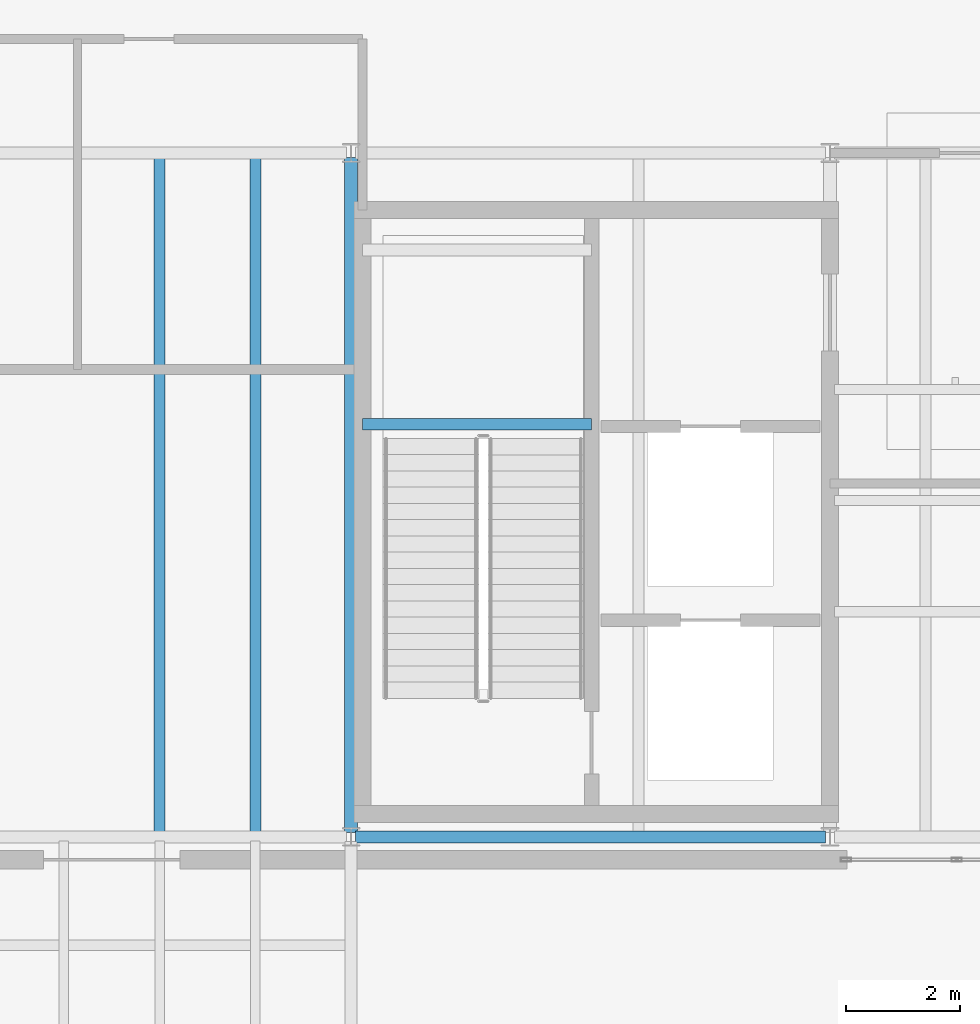
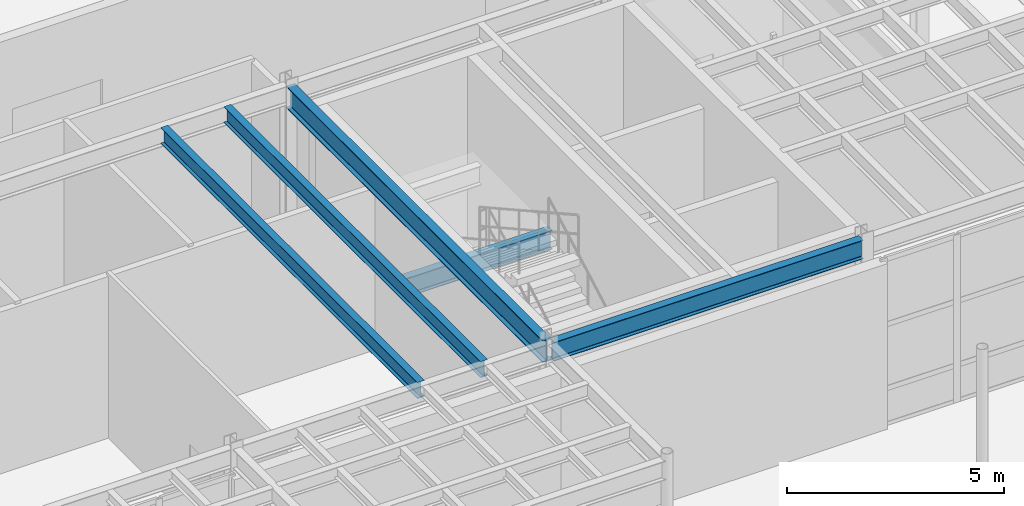
# One storey, part 35 of 87: 5 beams.
"""IFC4 building model written with IfcOpenShell, lengths in metres."""

from ifc_helpers import new_model, si_unit, direction, frame, origin, origin_2d, place, context, subcontext, project, spatial, i_section, extrude, material, material_profile, profile_set, type_object, element, save


model = new_model("IFC4")

# Units and contexts
model_context = context("Model", 3, precision=1e-05, world=origin(), true_north=direction((0.0, 1.0)))
body_context = subcontext(model_context, "Body", "Model", "MODEL_VIEW")
ifc_project = project(units=[si_unit("LENGTHUNIT", "METRE"), si_unit("AREAUNIT", "SQUARE_METRE"), si_unit("VOLUMEUNIT", "CUBIC_METRE"), si_unit("PLANEANGLEUNIT", "RADIAN"), si_unit("MASSUNIT", "GRAM", prefix="KILO")], contexts=[model_context])

# Site, building, storey
site_placement = place(None, origin())
site = spatial("IfcSite", under=ifc_project, at=site_placement, CompositionType="ELEMENT")
building_placement = place(site_placement, origin())
building = spatial("IfcBuilding", under=site, at=building_placement, Name="Selat Folded Stagehouse", CompositionType="ELEMENT")
storey_placement = place(building_placement, origin())
storey = spatial("IfcBuildingStorey", under=building, at=storey_placement, Name="L00", CompositionType="ELEMENT", Elevation=0.0)

# Beams
ifc_material = material(Name="Steel S355", Category="steel")
ifc_material_profile_1 = material_profile(ifc_material, i_section(OverallWidth=0.209228515625, OverallDepth=0.533203125, WebThickness=0.010009765625, FlangeThickness=0.015625, FilletRadius=0.0126953125, at=origin_2d()), Name="UKB 533x210x92")
ifc_profile_set_1 = profile_set([ifc_material_profile_1], Name="Steel S355")
beam_type_1 = type_object("IfcBeamType", Name="BM-GIRD-533x210x92", PredefinedType="BEAM", material=ifc_profile_set_1)
beam_1_placement = place(storey_placement, frame((75.679931640625, 5.800048828125, 4.91357421875), z_axis=(1.0, 0.0, 0.0), x_axis=(0.0, 1.0, 0.0)))
element("IfcBeam", 1, at=beam_1_placement, inside=storey, type_object=beam_type_1, Name="L00 primary x-girder 0504", PredefinedType="BEAM", context=body_context, shape_type="SweptSolid", body=[
    extrude(i_section(OverallWidth=0.209228515625, OverallDepth=0.533203125, WebThickness=0.010009765625, FlangeThickness=0.015625, FilletRadius=0.0126953125, at=origin_2d()), origin(), (0.0, 0.0, 1.0), 8.239990234375),
])
beam_2_placement = place(storey_placement, frame((75.800048828125, 13.0400390625, 2.2333984375), z_axis=(1.0, 0.0, 0.0), x_axis=(0.0, 1.0, 0.0)))
element("IfcBeam", 2, at=beam_2_placement, inside=storey, type_object=beam_type_1, Name="L00 ST-03 landing support beam 1", PredefinedType="BEAM", context=body_context, shape_type="SweptSolid", body=[
    extrude(i_section(OverallWidth=0.209228515625, OverallDepth=0.533203125, WebThickness=0.010009765625, FlangeThickness=0.015625, FilletRadius=0.0126953125, at=origin_2d()), origin(), (0.0, 0.0, 1.0), 4.02001953125),
])
ifc_material_profile_2 = material_profile(ifc_material, i_section(OverallWidth=0.230224609375, OverallDepth=0.6171875, WebThickness=0.01318359375, FlangeThickness=0.022216796875, FilletRadius=0.0126953125, at=origin_2d()), Name="UKB 610x229x140")
ifc_profile_set_2 = profile_set([ifc_material_profile_2], Name="Steel S355")
beam_type_2 = type_object("IfcBeamType", Name="BM-GIRD-610x229x140", PredefinedType="BEAM", material=ifc_profile_set_2)
beam_3_placement = place(storey_placement, frame((75.60009765625, 5.8798828125, 4.871337890625), z_axis=(0.0, 1.0, 0.0), x_axis=(-1.0, 0.0, 0.0)))
element("IfcBeam", 3, at=beam_3_placement, inside=storey, type_object=beam_type_2, Name="L00 primary y-girder 0580", PredefinedType="BEAM", context=body_context, shape_type="SweptSolid", body=[
    extrude(i_section(OverallWidth=0.230224609375, OverallDepth=0.6171875, WebThickness=0.01318359375, FlangeThickness=0.022216796875, FilletRadius=0.0126953125, at=origin_2d()), origin(), (0.0, 0.0, 1.0), 11.840087890625),
])
ifc_material_profile_3 = material_profile(ifc_material, i_section(OverallWidth=0.18994140625, OverallDepth=0.453369140625, WebThickness=0.008544921875, FlangeThickness=0.0126953125, FilletRadius=0.01025390625, at=origin_2d()), Name="UKB 457x191x67")
ifc_profile_set_3 = profile_set([ifc_material_profile_3], Name="Steel S355")
beam_type_3 = type_object("IfcBeamType", Name="JST-457x191x67", PredefinedType="JOIST", material=ifc_profile_set_3)
for number, where, z_axis, x_axis, name in (
    (4, (72.239990234375, 5.873291015625, 4.953369140625), (0.0, 1.0, 0.0), (-1.0, 0.0, 0.0), "L00 secondary floor joist 0667"),
    (5, (73.919921875, 5.873291015625, 4.953369140625), (0.0, 1.0, 0.0), (-1.0, 0.0, 0.0), "L00 secondary floor joist 0669"),
):
    element("IfcBeam", number, at=place(storey_placement, frame(where, z_axis=z_axis, x_axis=x_axis)), inside=storey, type_object=beam_type_3, Name=name, PredefinedType="JOIST", context=body_context, shape_type="SweptSolid", body=[
        extrude(i_section(OverallWidth=0.18994140625, OverallDepth=0.453369140625, WebThickness=0.008544921875, FlangeThickness=0.0126953125, FilletRadius=0.01025390625, at=origin_2d()), origin(), (0.0, 0.0, 1.0), 11.853515625),
    ])

save(model, "model.ifc")
